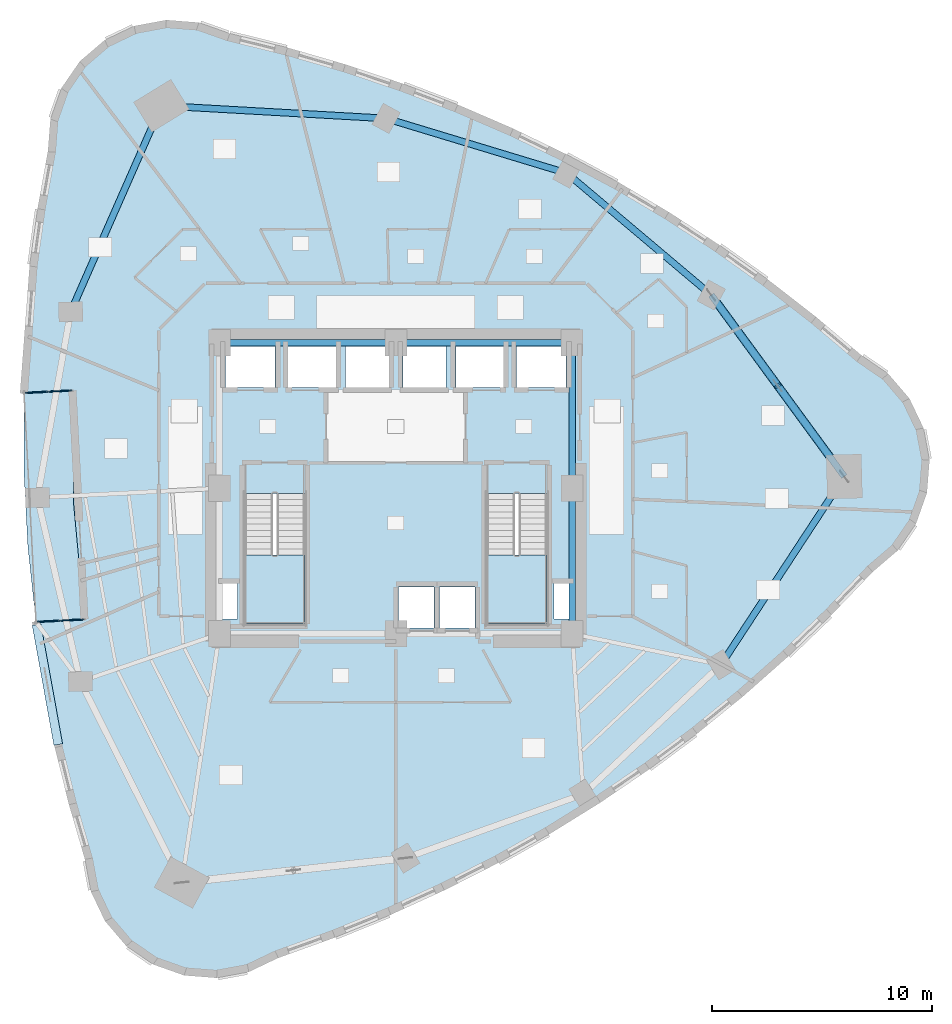
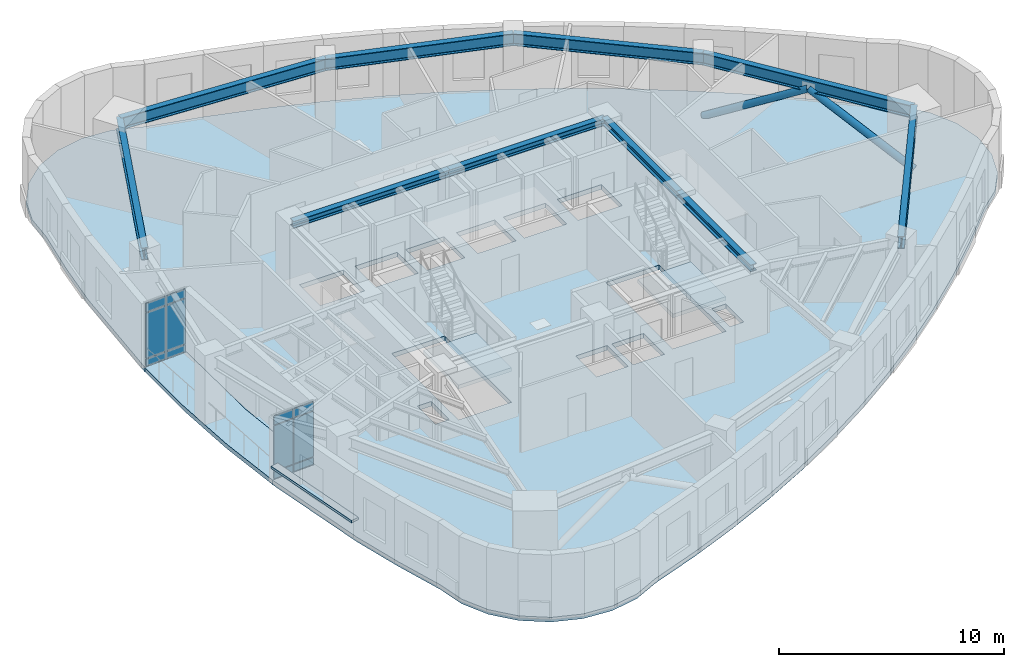
# One storey, part 4 of 13: 13 plates, 10 beams, 4 slabs, 2 members, 4 elements without a shape of their own.
"""IFC4 building model written with IfcOpenShell, lengths in metres."""

from ifc_helpers import new_model, si_unit, direction, frame, origin, origin_2d, place, context, subcontext, project, spatial, polyline, rectangle, hollow_circle, i_section, outline, extrude, material, layer, layer_set, material_profile, profile_set, type_object, element, aggregate, save


model = new_model("IFC4")

# Units and contexts
model_context = context("Model", 3, precision=1e-05, world=origin(), true_north=direction((0.0, 1.0)))
body_context = subcontext(model_context, "Body", "Model", "MODEL_VIEW")
ifc_project = project(units=[si_unit("LENGTHUNIT", "METRE"), si_unit("AREAUNIT", "SQUARE_METRE"), si_unit("VOLUMEUNIT", "CUBIC_METRE"), si_unit("PLANEANGLEUNIT", "RADIAN"), si_unit("MASSUNIT", "GRAM", prefix="KILO")], contexts=[model_context])

# Site, building, storey
site_placement = place(None, origin())
site = spatial("IfcSite", under=ifc_project, at=site_placement, CompositionType="ELEMENT")
building_placement = place(site_placement, origin())
building = spatial("IfcBuilding", under=site, at=building_placement, Name="Ndelora Gate Hotel", CompositionType="ELEMENT")
storey_placement = place(building_placement, frame((0.0, 0.0, 134.75)))
storey = spatial("IfcBuildingStorey", under=building, at=storey_placement, Name="L33", CompositionType="ELEMENT", Elevation=134.75)

# Beams
ifc_material_1 = material(Name="Steel S355", Category="steel")
ifc_material_profile_1 = material_profile(ifc_material_1, i_section(OverallWidth=0.300048828125, OverallDepth=0.360107421875, WebThickness=0.012451171875, FlangeThickness=0.0224609375, FilletRadius=0.027099609375, at=origin_2d()), Name="HEB 360")
ifc_profile_set_1 = profile_set([ifc_material_profile_1], Name="Steel S355")
beam_type_1 = type_object("IfcBeamType", Name="BM-CORE-360", PredefinedType="BEAM", material=ifc_profile_set_1)
for number, where, z_axis, x_axis, name in (
    (1, (-8.0, 6.60009765625, 3.320068359375), (1.0, 0.0, 0.0), (0.0, 1.0, 0.0), "L33 Core Tie Girder CC7-CC6"),
    (2, (0.0, 6.60009765625, 3.320068359375), (1.0, 0.0, 0.0), (0.0, 1.0, 0.0), "L33 Core Tie Girder CC6-CC5"),
):
    element("IfcBeam", number, at=place(storey_placement, frame(where, z_axis=z_axis, x_axis=x_axis)), inside=storey, type_object=beam_type_1, Name=name, PredefinedType="BEAM", context=body_context, shape_type="SweptSolid", body=[
        extrude(i_section(OverallWidth=0.300048828125, OverallDepth=0.360107421875, WebThickness=0.012451171875, FlangeThickness=0.0224609375, FilletRadius=0.027099609375, at=origin_2d()), origin(), (0.0, 0.0, 1.0), 8.0),
    ])
for number, where, z_axis, x_axis, name in (
    (3, (8.0, -6.60009765625, 3.320068359375), (0.0, 1.0, 0.0), (-1.0, 0.0, 0.0), "L33 Core Tie Girder CC3-CC4"),
    (4, (8.0, 0.0, 3.320068359375), (0.0, 1.0, 0.0), (-1.0, 0.0, 0.0), "L33 Core Tie Girder CC4-CC5"),
):
    element("IfcBeam", number, at=place(storey_placement, frame(where, z_axis=z_axis, x_axis=x_axis)), inside=storey, type_object=beam_type_1, Name=name, PredefinedType="BEAM", context=body_context, shape_type="SweptSolid", body=[
        extrude(i_section(OverallWidth=0.300048828125, OverallDepth=0.360107421875, WebThickness=0.012451171875, FlangeThickness=0.0224609375, FilletRadius=0.027099609375, at=origin_2d()), origin(), (0.0, 0.0, 1.0), 6.60009765625),
    ])
ifc_material_profile_2 = material_profile(ifc_material_1, i_section(OverallWidth=0.300048828125, OverallDepth=0.64990234375, WebThickness=0.01611328125, FlangeThickness=0.031005859375, FilletRadius=0.027099609375, at=origin_2d()), Name="HEB 650")
ifc_profile_set_2 = profile_set([ifc_material_profile_2], Name="Steel S355")
beam_type_2 = type_object("IfcBeamType", Name="BM-RING-650", PredefinedType="SPANDREL", material=ifc_profile_set_2)
beam_1_placement = place(storey_placement, frame((-10.63330078125, 17.351806640625, 3.175048828125), z_axis=(-0.402852396707, -0.915264959707, 0.0), x_axis=(0.915264959707, -0.402852396707, 0.0)))
element("IfcBeam", 5, at=beam_1_placement, inside=storey, type_object=beam_type_2, Name="L33 Perimeter Spandrel Girder 1", PredefinedType="SPANDREL", context=body_context, shape_type="SweptSolid", body=[
    extrude(i_section(OverallWidth=0.300048828125, OverallDepth=0.64990234375, WebThickness=0.01611328125, FlangeThickness=0.031005859375, FilletRadius=0.027099609375, at=origin_2d()), origin(), (0.0, 0.0, 1.0), 10.21044921875),
])
for number, where, z_axis, x_axis, name in (
    (6, (14.74658203125, -8.006591796875, 3.175048828125), (0.548194123818, 0.836351123998, 0.0), (-0.836351123998, 0.548194123818, 0.0), "L33 Perimeter Spandrel Girder 8"),
    (7, (20.34375, 0.53271484375, 3.175048828125), (-0.591229932094, 0.806503048597, 0.0), (-0.806503048597, -0.591229932094, 0.0), "L33 Perimeter Spandrel Girder 9"),
):
    element("IfcBeam", number, at=place(storey_placement, frame(where, z_axis=z_axis, x_axis=x_axis)), inside=storey, type_object=beam_type_2, Name=name, PredefinedType="SPANDREL", context=body_context, shape_type="SweptSolid", body=[
        extrude(i_section(OverallWidth=0.300048828125, OverallDepth=0.64990234375, WebThickness=0.01611328125, FlangeThickness=0.031005859375, FilletRadius=0.027099609375, at=origin_2d()), origin(), (0.0, 0.0, 1.0), 10.210205078125),
    ])
beam_2_placement = place(storey_placement, frame((14.30712890625, 8.767333984375, 3.175048828125), z_axis=(-0.76440691948, 0.644734101356, 0.0), x_axis=(-0.644734101356, -0.76440691948, 0.0)))
element("IfcBeam", 8, at=beam_2_placement, inside=storey, type_object=beam_type_2, Name="L33 Perimeter Spandrel Girder 10", PredefinedType="SPANDREL", context=body_context, shape_type="SweptSolid", body=[
    extrude(i_section(OverallWidth=0.300048828125, OverallDepth=0.64990234375, WebThickness=0.01611328125, FlangeThickness=0.031005859375, FilletRadius=0.027099609375, at=origin_2d()), origin(), (0.0, 0.0, 1.0), 8.566162109375),
])
beam_3_placement = place(storey_placement, frame((7.759033203125, 14.290283203125, 3.175048828125), z_axis=(-0.957030396662, 0.289987620192, 0.0), x_axis=(-0.289987620192, -0.957030396662, 0.0)))
element("IfcBeam", 9, at=beam_3_placement, inside=storey, type_object=beam_type_2, Name="L33 Perimeter Spandrel Girder 11", PredefinedType="SPANDREL", context=body_context, shape_type="SweptSolid", body=[
    extrude(i_section(OverallWidth=0.300048828125, OverallDepth=0.64990234375, WebThickness=0.01611328125, FlangeThickness=0.031005859375, FilletRadius=0.027099609375, at=origin_2d()), origin(), (0.0, 0.0, 1.0), 8.56640625),
])
beam_4_placement = place(storey_placement, frame((-0.439208984375, 16.7744140625, 3.175048828125), z_axis=(-0.998399808671, 0.056549288648, 0.0), x_axis=(-0.056549288648, -0.998399808671, 0.0)))
element("IfcBeam", 10, at=beam_4_placement, inside=storey, type_object=beam_type_2, Name="L33 Perimeter Spandrel Girder 12", PredefinedType="SPANDREL", context=body_context, shape_type="SweptSolid", body=[
    extrude(i_section(OverallWidth=0.300048828125, OverallDepth=0.64990234375, WebThickness=0.01611328125, FlangeThickness=0.031005859375, FilletRadius=0.027099609375, at=origin_2d()), origin(), (0.0, 0.0, 1.0), 10.21044921875),
])

# Members
ifc_material_profile_3 = material_profile(ifc_material_1, hollow_circle(Radius=0.177978515625, WallThickness=0.01611328125, at=origin_2d()), Name="CHS 356x16")
ifc_profile_set_3 = profile_set([ifc_material_profile_3], Name="Steel S355")
member_type = type_object("IfcMemberType", Name="MB-TUBE-356", PredefinedType="BRACE", material=ifc_profile_set_3)
member_1_placement = place(storey_placement, frame((20.34375, 0.53271484375, 0.02001953125), z_axis=(-0.51277306431, 0.699499937684, 0.497758597815), x_axis=(-0.806511406605, -0.591218530677, 0.0)))
element("IfcMember", 11, at=member_1_placement, inside=storey, type_object=member_type, Name="L33 Perimeter Braced-Tube Diagonal 9A", PredefinedType="BRACE", context=body_context, shape_type="SweptSolid", body=[
    extrude(hollow_circle(Radius=0.177978515625, WallThickness=0.01611328125, at=origin_2d()), origin(), (0.0, 0.0, 1.0), 5.88623046875),
])
member_2_placement = place(storey_placement, frame((14.30712890625, 8.767333984375, 0.02001953125), z_axis=(0.512787941477, -0.699478754758, 0.497773039365), x_axis=(0.806494690105, 0.591241333833, 0.0)))
element("IfcMember", 12, at=member_2_placement, inside=storey, type_object=member_type, Name="L33 Perimeter Braced-Tube Diagonal 9B", PredefinedType="BRACE", context=body_context, shape_type="SweptSolid", body=[
    extrude(hollow_circle(Radius=0.177978515625, WallThickness=0.01611328125, at=origin_2d()), origin(), (0.0, 0.0, 1.0), 5.885986328125),
])

# Curtain wall, plates
ifc_material_2 = material(Name="Bronze Anodised Unitised Aluminium and Low-E Glass", Category="aluminium")
ifc_layer_1 = layer(ifc_material_2, 0.199951171875)
ifc_layer_set_1 = layer_set([ifc_layer_1], Name="Bronze Anodised Unitised Aluminium and Low-E Glass")
curtain_wall_type = type_object("IfcCurtainWallType", Name="CW-SYS-3", PredefinedType="NOTDEFINED", material=ifc_layer_set_1)
curtain_wall_1_placement = place(storey_placement, origin())
curtain_wall_1 = element("IfcCurtainWall", 13, at=curtain_wall_1_placement, inside=storey, type_object=curtain_wall_type, Name="L33 Sky-Garden Loggia Side Curtain Wall CW3-1", PredefinedType="NOTDEFINED")
ifc_material_3 = material(Name="Solar-Control Low-E Insulated Glazing", Category="glass")
ifc_layer_2 = layer(ifc_material_3, 0.048095703125)
ifc_layer_set_2 = layer_set([ifc_layer_2], Name="Solar-Control Low-E Insulated Glazing")
plate_type_1 = type_object("IfcPlateType", Name="PL-CW-GLZ36", PredefinedType="CURTAIN_PANEL", material=ifc_layer_set_2)
plate_1_placement = place(storey_placement, frame((-15.2333984375, 4.40869140625, 0.05908203125), z_axis=(0.0, 0.0, 1.0), x_axis=(-0.998630482257, -0.052317873695, 0.0)))
plate_1 = element("IfcPlate", 14, at=plate_1_placement, type_object=plate_type_1, Name="CW3 panel 1.1", PredefinedType="CURTAIN_PANEL", context=body_context, shape_type="SweptSolid", body=[
    extrude(rectangle(XDim=1.014404296875, YDim=0.048095703125, at=origin_2d()), origin(), (0.0, 0.0, 1.0), 0.364501953125),
])
plate_2_placement = place(storey_placement, frame((-15.2333984375, 4.40869140625, 0.4765625), z_axis=(0.0, 0.0, 1.0), x_axis=(-0.998630482257, -0.052317873695, 0.0)))
plate_2 = element("IfcPlate", 15, at=plate_2_placement, type_object=plate_type_1, Name="CW3 panel 1.2", PredefinedType="CURTAIN_PANEL", context=body_context, shape_type="SweptSolid", body=[
    extrude(rectangle(XDim=1.014404296875, YDim=0.048095703125, at=origin_2d()), origin(), (0.0, 0.0, 1.0), 2.447021484375),
])
plate_3_placement = place(storey_placement, frame((-15.2333984375, 4.40869140625, 2.9765625), z_axis=(0.0, 0.0, 1.0), x_axis=(-0.998630482257, -0.052317873695, 0.0)))
plate_3 = element("IfcPlate", 16, at=plate_3_placement, type_object=plate_type_1, Name="CW3 panel 1.3", PredefinedType="CURTAIN_PANEL", context=body_context, shape_type="SweptSolid", body=[
    extrude(rectangle(XDim=1.014404296875, YDim=0.048095703125, at=origin_2d()), origin(), (0.0, 0.0, 1.0), 0.464599609375),
])
plate_4_placement = place(storey_placement, frame((-16.299560546875, 4.35302734375, 0.05908203125), z_axis=(0.0, 0.0, 1.0), x_axis=(-0.998630482257, -0.052317873695, 0.0)))
plate_4 = element("IfcPlate", 17, at=plate_4_placement, type_object=plate_type_1, Name="CW3 panel 2.1", PredefinedType="CURTAIN_PANEL", context=body_context, shape_type="SweptSolid", body=[
    extrude(rectangle(XDim=1.014404296875, YDim=0.048095703125, at=origin_2d()), origin(), (0.0, 0.0, 1.0), 0.364501953125),
])
plate_5_placement = place(storey_placement, frame((-16.299560546875, 4.35302734375, 0.4765625), z_axis=(0.0, 0.0, 1.0), x_axis=(-0.998630482257, -0.052317873695, 0.0)))
plate_5 = element("IfcPlate", 18, at=plate_5_placement, type_object=plate_type_1, Name="CW3 panel 2.2", PredefinedType="CURTAIN_PANEL", context=body_context, shape_type="SweptSolid", body=[
    extrude(rectangle(XDim=1.014404296875, YDim=0.048095703125, at=origin_2d()), origin(), (0.0, 0.0, 1.0), 2.447021484375),
])
plate_6_placement = place(storey_placement, frame((-16.299560546875, 4.35302734375, 2.9765625), z_axis=(0.0, 0.0, 1.0), x_axis=(-0.998630482257, -0.052317873695, 0.0)))
plate_6 = element("IfcPlate", 19, at=plate_6_placement, type_object=plate_type_1, Name="CW3 panel 2.3", PredefinedType="CURTAIN_PANEL", context=body_context, shape_type="SweptSolid", body=[
    extrude(rectangle(XDim=1.014404296875, YDim=0.048095703125, at=origin_2d()), origin(), (0.0, 0.0, 1.0), 0.464599609375),
])
aggregate(curtain_wall_1, [plate_1, plate_2, plate_3, plate_4, plate_5, plate_6])

curtain_wall_2_placement = place(storey_placement, origin())
curtain_wall_2 = element("IfcCurtainWall", 20, at=curtain_wall_2_placement, inside=storey, type_object=curtain_wall_type, Name="L33 Sky-Garden Loggia Side Curtain Wall CW3-2", PredefinedType="NOTDEFINED")
plate_7_placement = place(storey_placement, frame((-15.755126953125, -6.032958984375, 0.05908203125), z_axis=(0.0, 0.0, 1.0), x_axis=(0.998628106419, 0.052363203389, 0.0)))
plate_7 = element("IfcPlate", 21, at=plate_7_placement, type_object=plate_type_1, Name="CW3 panel 1.1", PredefinedType="CURTAIN_PANEL", context=body_context, shape_type="SweptSolid", body=[
    extrude(rectangle(XDim=1.014404296875, YDim=0.048095703125, at=origin_2d()), origin(), (0.0, 0.0, 1.0), 0.364501953125),
])
plate_8_placement = place(storey_placement, frame((-15.755126953125, -6.032958984375, 0.4765625), z_axis=(0.0, 0.0, 1.0), x_axis=(0.998628106419, 0.052363203389, 0.0)))
plate_8 = element("IfcPlate", 22, at=plate_8_placement, type_object=plate_type_1, Name="CW3 panel 1.2", PredefinedType="CURTAIN_PANEL", context=body_context, shape_type="SweptSolid", body=[
    extrude(rectangle(XDim=1.014404296875, YDim=0.048095703125, at=origin_2d()), origin(), (0.0, 0.0, 1.0), 2.447021484375),
])
plate_9_placement = place(storey_placement, frame((-15.755126953125, -6.032958984375, 2.9765625), z_axis=(0.0, 0.0, 1.0), x_axis=(0.998628106419, 0.052363203389, 0.0)))
plate_9 = element("IfcPlate", 23, at=plate_9_placement, type_object=plate_type_1, Name="CW3 panel 1.3", PredefinedType="CURTAIN_PANEL", context=body_context, shape_type="SweptSolid", body=[
    extrude(rectangle(XDim=1.014404296875, YDim=0.048095703125, at=origin_2d()), origin(), (0.0, 0.0, 1.0), 0.464599609375),
])
plate_10_placement = place(storey_placement, frame((-14.689208984375, -5.97705078125, 0.05908203125), z_axis=(0.0, 0.0, 1.0), x_axis=(0.998628106419, 0.052363203389, 0.0)))
plate_10 = element("IfcPlate", 24, at=plate_10_placement, type_object=plate_type_1, Name="CW3 panel 2.1", PredefinedType="CURTAIN_PANEL", context=body_context, shape_type="SweptSolid", body=[
    extrude(rectangle(XDim=1.014404296875, YDim=0.048095703125, at=origin_2d()), origin(), (0.0, 0.0, 1.0), 0.364501953125),
])
plate_11_placement = place(storey_placement, frame((-14.689208984375, -5.97705078125, 0.4765625), z_axis=(0.0, 0.0, 1.0), x_axis=(0.998628106419, 0.052363203389, 0.0)))
plate_11 = element("IfcPlate", 25, at=plate_11_placement, type_object=plate_type_1, Name="CW3 panel 2.2", PredefinedType="CURTAIN_PANEL", context=body_context, shape_type="SweptSolid", body=[
    extrude(rectangle(XDim=1.014404296875, YDim=0.048095703125, at=origin_2d()), origin(), (0.0, 0.0, 1.0), 2.447021484375),
])
plate_12_placement = place(storey_placement, frame((-14.689208984375, -5.97705078125, 2.9765625), z_axis=(0.0, 0.0, 1.0), x_axis=(0.998628106419, 0.052363203389, 0.0)))
plate_12 = element("IfcPlate", 26, at=plate_12_placement, type_object=plate_type_1, Name="CW3 panel 2.3", PredefinedType="CURTAIN_PANEL", context=body_context, shape_type="SweptSolid", body=[
    extrude(rectangle(XDim=1.014404296875, YDim=0.048095703125, at=origin_2d()), origin(), (0.0, 0.0, 1.0), 0.464599609375),
])
aggregate(curtain_wall_2, [plate_7, plate_8, plate_9, plate_10, plate_11, plate_12])

# Plate
ifc_material_4 = material(Name="Precast concrete C40/50", Category="concrete")
ifc_layer_3 = layer(ifc_material_4, 0.125)
ifc_layer_set_3 = layer_set([ifc_layer_3], Name="Precast concrete C40/50")
plate_type_2 = type_object("IfcPlateType", Name="PL-SILL-120", PredefinedType="USERDEFINED", material=ifc_layer_set_3)
plate_13_placement = place(storey_placement, frame((-15.804443359375, -8.904541015625, 0.78759765625), z_axis=(0.0, 0.0, 1.0), x_axis=(-0.17863049206, 0.983916229822, 0.0)))
element("IfcPlate", 27, at=plate_13_placement, inside=storey, type_object=plate_type_2, Name="L33 Streamline Precast Ribbon Sill 16", ObjectType="RIBBON_SILL", PredefinedType="USERDEFINED", context=body_context, shape_type="SweptSolid", body=[
    extrude(rectangle(XDim=5.527099609375, YDim=0.39990234375, at=origin_2d()), origin(), (0.0, 0.0, 1.0), 0.125),
])

# Stair, slab
stair_type = type_object("IfcStairType", Name="STR-DOG-CORE", PredefinedType="HALF_TURN_STAIR", material=ifc_material_4)
stair_1_placement = place(storey_placement, origin())
stair_1 = element("IfcStair", 28, at=stair_1_placement, inside=storey, type_object=stair_type, Name="L33 Protected Core Exit Stair ST4", PredefinedType="HALF_TURN_STAIR")
ifc_layer_4 = layer(ifc_material_4, 0.219970703125)
ifc_layer_set_4 = layer_set([ifc_layer_4], Name="Precast concrete C40/50")
slab_type_1 = type_object("IfcSlabType", Name="SL-LAND-220", PredefinedType="LANDING", material=ifc_layer_set_4)
slab_1_placement = place(storey_placement, frame((0.0, 0.0, 1.675048828125)))
slab_1 = element("IfcSlab", 29, at=slab_1_placement, type_object=slab_type_1, Name="ST4 landing 1", PredefinedType="LANDING", context=body_context, shape_type="SweptSolid", body=[
    extrude(outline(polyline([(-6.85009765625, -3.030029296875), (-6.85009765625, -6.14990234375), (-4.1298828125, -6.14990234375), (-4.1298828125, -3.030029296875), (-6.85009765625, -3.030029296875)])), origin(), (0.0, 0.0, 1.0), 0.199951171875),
])
aggregate(stair_1, [slab_1])

stair_2_placement = place(storey_placement, origin())
stair_2 = element("IfcStair", 30, at=stair_2_placement, inside=storey, type_object=stair_type, Name="L33 Protected Core Exit Stair ST5", PredefinedType="HALF_TURN_STAIR")
slab_2_placement = place(storey_placement, frame((0.0, 0.0, 1.675048828125)))
slab_2 = element("IfcSlab", 31, at=slab_2_placement, type_object=slab_type_1, Name="ST5 landing 1", PredefinedType="LANDING", context=body_context, shape_type="SweptSolid", body=[
    extrude(outline(polyline([(4.1298828125, -3.030029296875), (4.1298828125, -6.14990234375), (6.85009765625, -6.14990234375), (6.85009765625, -3.030029296875), (4.1298828125, -3.030029296875)])), origin(), (0.0, 0.0, 1.0), 0.199951171875),
])
aggregate(stair_2, [slab_2])

# Slabs
ifc_layer_5 = layer(ifc_material_4, 0.239990234375)
ifc_layer_set_5 = layer_set([ifc_layer_5], Name="Precast concrete C40/50")
slab_type_2 = type_object("IfcSlabType", Name="SL-TER-240", PredefinedType="FLOOR", material=ifc_layer_set_5)
slab_3_placement = place(storey_placement, frame((0.0, 0.0, -0.239990234375)))
element("IfcSlab", 32, at=slab_3_placement, inside=storey, type_object=slab_type_2, Name="L33 Sky Garden Loggia Terrace Slab", PredefinedType="FLOOR", context=body_context, shape_type="SweptSolid", body=[
    extrude(outline(polyline([(-14.66796875, 4.4384765625), (-16.864990234375, 4.3232421875), (-16.875, 0.885986328125), (-16.689697265625, -2.64501953125), (-16.32080078125, -6.0625), (-14.123779296875, -5.947265625), (-14.610107421875, -0.765625), (-14.66796875, 4.4384765625)])), origin(), (0.0, 0.0, 1.0), 0.239990234375),
])
ifc_material_5 = material(Name="Concrete C40/50", Category="concrete")
ifc_layer_6 = layer(ifc_material_5, 0.25)
ifc_layer_set_6 = layer_set([ifc_layer_6], Name="Concrete C40/50")
slab_type_3 = type_object("IfcSlabType", Name="SL-TWR-250", PredefinedType="FLOOR", material=ifc_layer_set_6)
slab_4_placement = place(storey_placement, frame((0.0, 0.0, -0.25)))
element("IfcSlab", 33, at=slab_4_placement, inside=storey, type_object=slab_type_3, Name="L33 Structural Floor Slab", PredefinedType="FLOOR", context=body_context, shape_type="SweptSolid", body=[
    extrude(outline(polyline([(-7.61181640625, 20.466552734375), (-8.965087890625, 20.94580078125), (-10.396484375, 21.05859375), (-11.808349609375, 20.796875), (-13.104248046875, 20.1787109375), (-14.196044921875, 19.24609375), (-15.00927734375, 18.06298828125), (-15.488525390625, 16.70947265625), (-15.60107421875, 15.2783203125), (-16.069091796875, 12.67822265625), (-16.4326171875, 10.083984375), (-16.864990234375, 4.3232421875), (-14.66796875, 4.4384765625), (-14.610107421875, -0.765625), (-14.123779296875, -5.947265625), (-16.32080078125, -6.0625), (-15.288330078125, -11.746337890625), (-14.656005859375, -14.28857421875), (-13.918701171875, -16.8251953125), (-13.656982421875, -18.237060546875), (-13.038818359375, -19.532958984375), (-12.1064453125, -20.624755859375), (-10.923095703125, -21.43798828125), (-9.569580078125, -21.917236328125), (-8.138427734375, -22.02978515625), (-6.7265625, -21.768310546875), (-5.4306640625, -21.150146484375), (-2.8427734375, -20.21630859375), (-0.31689453125, -19.18701171875), (2.14697265625, -18.062255859375), (4.548828125, -16.842041015625), (6.888671875, -15.5263671875), (9.16650390625, -14.114990234375), (11.382080078125, -12.608154296875), (13.535888671875, -11.005859375), (15.62744140625, -9.30810546875), (17.6572265625, -7.5146484375), (19.624755859375, -5.625732421875), (21.530517578125, -3.641357421875), (22.622314453125, -2.708740234375), (23.435302734375, -1.525634765625), (23.914794921875, -0.172119140625), (24.02734375, 1.25927734375), (23.765625, 2.6708984375), (23.147705078125, 3.966796875), (22.215087890625, 5.05859375), (21.03173828125, 5.871826171875), (18.92919921875, 7.646240234375), (16.77490234375, 9.319091796875), (14.569091796875, 10.890380859375), (12.311279296875, 12.3603515625), (10.001708984375, 13.728759765625), (7.640625, 14.995849609375), (5.227783203125, 16.161376953125), (2.763427734375, 17.225341796875), (0.247314453125, 18.187744140625), (-2.32080078125, 19.048828125), (-4.9404296875, 19.808349609375), (-7.61181640625, 20.466552734375)]), holes=[polyline([(-6.85009765625, -0.22998046875), (-6.85009765625, -6.14990234375), (-4.1298828125, -6.14990234375), (-4.1298828125, -0.22998046875), (-6.85009765625, -0.22998046875)]), polyline([(4.1298828125, -0.22998046875), (4.1298828125, -6.14990234375), (6.85009765625, -6.14990234375), (6.85009765625, -0.22998046875), (4.1298828125, -0.22998046875)]), polyline([(-7.72998046875, 4.570068359375), (-5.469970703125, 4.570068359375), (-5.469970703125, 6.429931640625), (-7.72998046875, 6.429931640625), (-7.72998046875, 4.570068359375)]), polyline([(5.469970703125, 4.570068359375), (7.72998046875, 4.570068359375), (7.72998046875, 6.429931640625), (5.469970703125, 6.429931640625), (5.469970703125, 4.570068359375)]), polyline([(-4.8798828125, 4.570068359375), (-2.719970703125, 4.570068359375), (-2.719970703125, 6.429931640625), (-4.8798828125, 6.429931640625), (-4.8798828125, 4.570068359375)]), polyline([(2.719970703125, 4.570068359375), (4.8798828125, 4.570068359375), (4.8798828125, 6.429931640625), (2.719970703125, 6.429931640625), (2.719970703125, 4.570068359375)]), polyline([(0.1201171875, -6.330078125), (1.739990234375, -6.330078125), (1.739990234375, -4.469970703125), (0.1201171875, -4.469970703125), (0.1201171875, -6.330078125)]), polyline([(1.97998046875, -6.330078125), (3.60009765625, -6.330078125), (3.60009765625, -4.469970703125), (1.97998046875, -4.469970703125), (1.97998046875, -6.330078125)]), polyline([(-2.280029296875, 4.570068359375), (-0.320068359375, 4.570068359375), (-0.320068359375, 6.429931640625), (-2.280029296875, 6.429931640625), (-2.280029296875, 4.570068359375)]), polyline([(0.320068359375, 4.570068359375), (2.280029296875, 4.570068359375), (2.280029296875, 6.429931640625), (0.320068359375, 6.429931640625), (0.320068359375, 4.570068359375)]), polyline([(-7.89990234375, -5.919921875), (-7.179931640625, -5.919921875), (-7.179931640625, -4.320068359375), (-7.89990234375, -4.320068359375), (-7.89990234375, -5.919921875)]), polyline([(7.179931640625, -5.919921875), (7.89990234375, -5.919921875), (7.89990234375, -4.320068359375), (7.179931640625, -4.320068359375), (7.179931640625, -5.919921875)])]), origin(), (0.0, 0.0, 1.0), 0.25),
])

save(model, "model.ifc")
